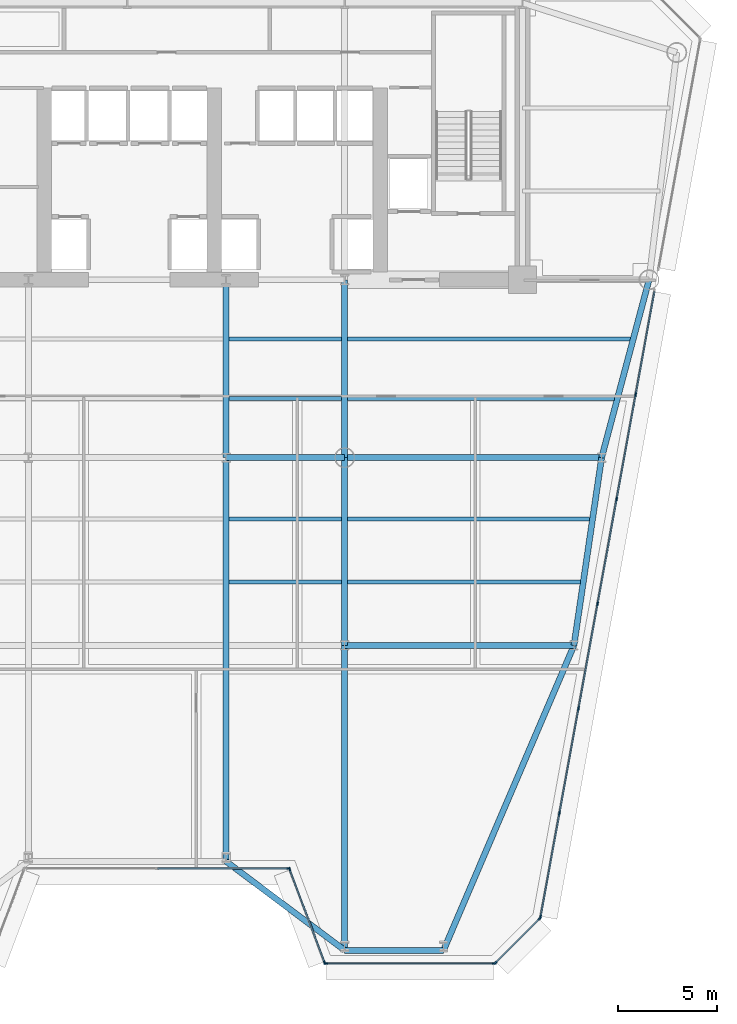
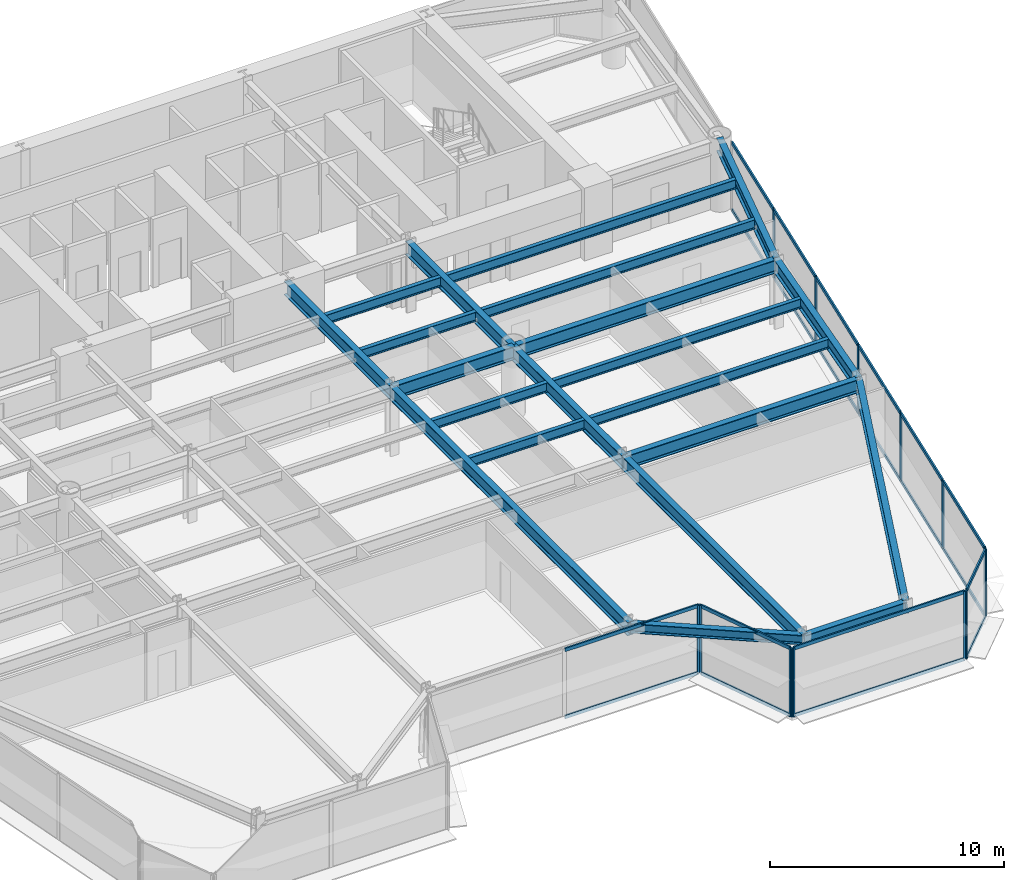
# One storey, part 4 of 14: 33 members, 21 beams, 5 elements without a shape of their own.
"""IFC4 building model written with IfcOpenShell, lengths in metres."""

from ifc_helpers import new_model, si_unit, direction, frame, origin, origin_2d, place, context, subcontext, project, spatial, rectangle, i_section, extrude, source, transform, mapped, material, layer, layer_set, material_profile, profile_set, type_object, element, aggregate, save


model = new_model("IFC4")

# Units and contexts
model_context = context("Model", 3, precision=1e-05, world=origin(), true_north=direction((0.0, 1.0)))
body_context = subcontext(model_context, "Body", "Model", "MODEL_VIEW")
ifc_project = project(units=[si_unit("LENGTHUNIT", "METRE"), si_unit("AREAUNIT", "SQUARE_METRE"), si_unit("VOLUMEUNIT", "CUBIC_METRE"), si_unit("PLANEANGLEUNIT", "RADIAN"), si_unit("MASSUNIT", "GRAM", prefix="KILO")], contexts=[model_context])

# Site, building, storey
site_placement = place(None, origin())
site = spatial("IfcSite", under=ifc_project, at=site_placement, CompositionType="ELEMENT")
building_placement = place(site_placement, origin())
building = spatial("IfcBuilding", under=site, at=building_placement, Name="Vaeldorn Concourse Tower", CompositionType="ELEMENT")
storey_placement = place(building_placement, frame((0.0, 0.0, 114.800048828125)))
storey = spatial("IfcBuildingStorey", under=building, at=storey_placement, Name="L29", CompositionType="ELEMENT", Elevation=114.800048828125)

# Beams
ifc_material_1 = material(Name="Steel S355", Category="steel")
ifc_material_profile_1 = material_profile(ifc_material_1, i_section(OverallWidth=0.199951171875, OverallDepth=0.5, WebThickness=0.01025390625, FlangeThickness=0.01611328125, FilletRadius=0.02099609375, at=origin_2d()), Name="IPE 500")
ifc_profile_set_1 = profile_set([ifc_material_profile_1], Name="Steel S355")
beam_type_1 = type_object("IfcBeamType", Name="BM-JS-IPE500", PredefinedType="JOIST", material=ifc_profile_set_1)
shared_shape_1 = source(origin(), body_context, "Body", "SweptSolid", [
    extrude(i_section(OverallWidth=0.199951171875, OverallDepth=0.5, WebThickness=0.01025390625, FlangeThickness=0.01611328125, FilletRadius=0.02099609375, at=origin_2d()), origin(), (0.0, 0.0, 1.0), 5.7001953125),
])
for number, where, z_axis, x_axis, name in (
    (1, (39.14990234375, 21.199951171875, 3.329833984375), (1.0, 0.0, 0.0), (0.0, 1.0, 0.0), "Beam JS-L29-E2-212"),
    (2, (39.14990234375, 24.39990234375, 3.329833984375), (1.0, 0.0, 0.0), (0.0, 1.0, 0.0), "Beam JS-L29-E2-244"),
    (3, (39.14990234375, 30.5, 3.329833984375), (1.0, 0.0, 0.0), (0.0, 1.0, 0.0), "Beam JS-L29-E2-305"),
    (4, (39.14990234375, 33.5, 3.329833984375), (1.0, 0.0, 0.0), (0.0, 1.0, 0.0), "Beam JS-L29-E2-335"),
):
    element("IfcBeam", number, at=place(storey_placement, frame(where, z_axis=z_axis, x_axis=x_axis)), inside=storey, type_object=beam_type_1, Name=name, PredefinedType="JOIST", context=body_context, shape_type="MappedRepresentation", body=[
        mapped(shared_shape_1, transform((0.0, 0.0, 0.0), scale=1.0)),
    ])
shared_shape_2 = source(origin(), body_context, "Body", "SweptSolid", [
    extrude(i_section(OverallWidth=0.199951171875, OverallDepth=0.5, WebThickness=0.01025390625, FlangeThickness=0.01611328125, FilletRadius=0.02099609375, at=origin_2d()), origin(), (0.0, 0.0, 1.0), 11.771728515625),
])
beam_1_placement = place(storey_placement, frame((45.14990234375, 21.199951171875, 3.329833984375), z_axis=(1.0, 0.0, 0.0), x_axis=(0.0, 1.0, 0.0)))
element("IfcBeam", 5, at=beam_1_placement, inside=storey, type_object=beam_type_1, Name="Beam JS-L29-E1-212", PredefinedType="JOIST", context=body_context, shape_type="MappedRepresentation", body=[
    mapped(shared_shape_2, transform((0.0, 0.0, 0.0), scale=1.0)),
])
shared_shape_3 = source(origin(), body_context, "Body", "SweptSolid", [
    extrude(i_section(OverallWidth=0.199951171875, OverallDepth=0.5, WebThickness=0.01025390625, FlangeThickness=0.01611328125, FilletRadius=0.02099609375, at=origin_2d()), origin(), (0.0, 0.0, 1.0), 12.243408203125),
])
beam_2_placement = place(storey_placement, frame((45.14990234375, 24.39990234375, 3.329833984375), z_axis=(1.0, 0.0, 0.0), x_axis=(0.0, 1.0, 0.0)))
element("IfcBeam", 6, at=beam_2_placement, inside=storey, type_object=beam_type_1, Name="Beam JS-L29-E1-244", PredefinedType="JOIST", context=body_context, shape_type="MappedRepresentation", body=[
    mapped(shared_shape_3, transform((0.0, 0.0, 0.0), scale=1.0)),
])
shared_shape_4 = source(origin(), body_context, "Body", "SweptSolid", [
    extrude(i_section(OverallWidth=0.199951171875, OverallDepth=0.5, WebThickness=0.01025390625, FlangeThickness=0.01611328125, FilletRadius=0.02099609375, at=origin_2d()), origin(), (0.0, 0.0, 1.0), 13.5),
])
beam_3_placement = place(storey_placement, frame((45.14990234375, 30.5, 3.329833984375), z_axis=(1.0, 0.0, 0.0), x_axis=(0.0, 1.0, 0.0)))
element("IfcBeam", 7, at=beam_3_placement, inside=storey, type_object=beam_type_1, Name="Beam JS-L29-E1-305", PredefinedType="JOIST", context=body_context, shape_type="MappedRepresentation", body=[
    mapped(shared_shape_4, transform((0.0, 0.0, 0.0), scale=1.0)),
])
shared_shape_5 = source(origin(), body_context, "Body", "SweptSolid", [
    extrude(i_section(OverallWidth=0.199951171875, OverallDepth=0.5, WebThickness=0.01025390625, FlangeThickness=0.01611328125, FilletRadius=0.02099609375, at=origin_2d()), origin(), (0.0, 0.0, 1.0), 14.300048828125),
])
beam_4_placement = place(storey_placement, frame((45.14990234375, 33.5, 3.329833984375), z_axis=(1.0, 0.0, 0.0), x_axis=(0.0, 1.0, 0.0)))
element("IfcBeam", 8, at=beam_4_placement, inside=storey, type_object=beam_type_1, Name="Beam JS-L29-E1-335", PredefinedType="JOIST", context=body_context, shape_type="MappedRepresentation", body=[
    mapped(shared_shape_5, transform((0.0, 0.0, 0.0), scale=1.0)),
])
ifc_material_profile_2 = material_profile(ifc_material_1, i_section(OverallWidth=0.300048828125, OverallDepth=0.699951171875, WebThickness=0.01708984375, FlangeThickness=0.031982421875, FilletRadius=0.027099609375, at=origin_2d()), Name="HEB 700")
ifc_profile_set_2 = profile_set([ifc_material_profile_2], Name="Steel S355")
beam_type_2 = type_object("IfcBeamType", Name="BM-PG-HEB700", PredefinedType="BEAM", material=ifc_profile_set_2)
shared_shape_6 = source(origin(), body_context, "Body", "SweptSolid", [
    extrude(i_section(OverallWidth=0.300048828125, OverallDepth=0.699951171875, WebThickness=0.01708984375, FlangeThickness=0.031982421875, FilletRadius=0.027099609375, at=origin_2d()), origin(), (0.0, 0.0, 1.0), 6.0),
])
beam_5_placement = place(storey_placement, frame((39.0, 27.5, 3.22998046875), z_axis=(1.0, 0.0, 0.0), x_axis=(0.0, 1.0, 0.0)))
element("IfcBeam", 9, at=beam_5_placement, inside=storey, type_object=beam_type_2, Name="Beam BM-L29-C-TW3-C-TW4", PredefinedType="BEAM", context=body_context, shape_type="MappedRepresentation", body=[
    mapped(shared_shape_6, transform((0.0, 0.0, 0.0), scale=1.0)),
])
shared_shape_7 = source(origin(), body_context, "Body", "SweptSolid", [
    extrude(i_section(OverallWidth=0.300048828125, OverallDepth=0.699951171875, WebThickness=0.01708984375, FlangeThickness=0.031982421875, FilletRadius=0.027099609375, at=origin_2d()), origin(), (0.0, 0.0, 1.0), 9.0),
])
for number, where, z_axis, x_axis, name in (
    (10, (39.0, 27.5, 3.22998046875), (0.0, 1.0, 0.0), (-1.0, 0.0, 0.0), "Beam BM-L29-C-TW3-C-FC4"),
    (11, (45.0, 27.5, 3.22998046875), (0.0, 1.0, 0.0), (-1.0, 0.0, 0.0), "Beam BM-L29-C-TW4-C-FC5"),
):
    element("IfcBeam", number, at=place(storey_placement, frame(where, z_axis=z_axis, x_axis=x_axis)), inside=storey, type_object=beam_type_2, Name=name, PredefinedType="BEAM", context=body_context, shape_type="MappedRepresentation", body=[
        mapped(shared_shape_7, transform((0.0, 0.0, 0.0), scale=1.0)),
    ])
shared_shape_8 = source(origin(), body_context, "Body", "SweptSolid", [
    extrude(i_section(OverallWidth=0.300048828125, OverallDepth=0.699951171875, WebThickness=0.01708984375, FlangeThickness=0.031982421875, FilletRadius=0.027099609375, at=origin_2d()), origin(), (0.0, 0.0, 1.0), 9.314453125),
])
beam_6_placement = place(storey_placement, frame((60.39990234375, 36.5, 3.22998046875), z_axis=(-0.257652862255, -0.966237549763, 0.0), x_axis=(0.966237549763, -0.257652862255, 0.0)))
element("IfcBeam", 12, at=beam_6_placement, inside=storey, type_object=beam_type_2, Name="Beam BM-L29-C-NE2-C-FLE1", PredefinedType="BEAM", context=body_context, shape_type="MappedRepresentation", body=[
    mapped(shared_shape_8, transform((0.0, 0.0, 0.0), scale=1.0)),
])
shared_shape_9 = source(origin(), body_context, "Body", "SweptSolid", [
    extrude(i_section(OverallWidth=0.300048828125, OverallDepth=0.699951171875, WebThickness=0.01708984375, FlangeThickness=0.031982421875, FilletRadius=0.027099609375, at=origin_2d()), origin(), (0.0, 0.0, 1.0), 13.0),
])
beam_7_placement = place(storey_placement, frame((45.0, 27.5, 3.22998046875), z_axis=(1.0, 0.0, 0.0), x_axis=(0.0, 1.0, 0.0)))
element("IfcBeam", 13, at=beam_7_placement, inside=storey, type_object=beam_type_2, Name="Beam BM-L29-C-TW4-C-FLE1", PredefinedType="BEAM", context=body_context, shape_type="MappedRepresentation", body=[
    mapped(shared_shape_9, transform((0.0, 0.0, 0.0), scale=1.0)),
])
ifc_material_profile_3 = material_profile(ifc_material_1, i_section(OverallWidth=0.300048828125, OverallDepth=0.5, WebThickness=0.014404296875, FlangeThickness=0.028076171875, FilletRadius=0.027099609375, at=origin_2d()), Name="HEB 500")
ifc_profile_set_3 = profile_set([ifc_material_profile_3], Name="Steel S355")
beam_type_3 = type_object("IfcBeamType", Name="BM-SP-HEB500", PredefinedType="SPANDREL", material=ifc_profile_set_3)
shared_shape_10 = source(origin(), body_context, "Body", "SweptSolid", [
    extrude(i_section(OverallWidth=0.300048828125, OverallDepth=0.5, WebThickness=0.014404296875, FlangeThickness=0.028076171875, FilletRadius=0.027099609375, at=origin_2d()), origin(), (0.0, 0.0, 1.0), 5.0),
])
beam_8_placement = place(storey_placement, frame((45.0, 2.573486328125, 3.329833984375), z_axis=(1.0, 0.0, 0.0), x_axis=(0.0, 1.0, 0.0)))
element("IfcBeam", 14, at=beam_8_placement, inside=storey, type_object=beam_type_3, Name="Beam BM-L29-C-SF5-C-SF6", PredefinedType="SPANDREL", context=body_context, shape_type="MappedRepresentation", body=[
    mapped(shared_shape_10, transform((0.0, 0.0, 0.0), scale=1.0)),
])
shared_shape_11 = source(origin(), body_context, "Body", "SweptSolid", [
    extrude(i_section(OverallWidth=0.300048828125, OverallDepth=0.5, WebThickness=0.014404296875, FlangeThickness=0.028076171875, FilletRadius=0.027099609375, at=origin_2d()), origin(), (0.0, 0.0, 1.0), 7.5),
])
beam_9_placement = place(storey_placement, frame((39.0, 7.073486328125, 3.329833984375), z_axis=(0.8, -0.6, 0.0), x_axis=(0.6, 0.8, 0.0)))
element("IfcBeam", 15, at=beam_9_placement, inside=storey, type_object=beam_type_3, Name="Beam BM-L29-C-SF4-C-SF5", PredefinedType="SPANDREL", context=body_context, shape_type="MappedRepresentation", body=[
    mapped(shared_shape_11, transform((0.0, 0.0, 0.0), scale=1.0)),
])
shared_shape_12 = source(origin(), body_context, "Body", "SweptSolid", [
    extrude(i_section(OverallWidth=0.300048828125, OverallDepth=0.699951171875, WebThickness=0.01708984375, FlangeThickness=0.031982421875, FilletRadius=0.027099609375, at=origin_2d()), origin(), (0.0, 0.0, 1.0), 9.6025390625),
])
beam_10_placement = place(storey_placement, frame((58.0, 27.5, 3.22998046875), z_axis=(-0.145783835977, -0.989316467652, 0.0), x_axis=(0.989316467652, -0.145783835977, 0.0)))
element("IfcBeam", 16, at=beam_10_placement, inside=storey, type_object=beam_type_2, Name="Beam BM-L29-C-FLE1-C-FLE2", PredefinedType="BEAM", context=body_context, shape_type="MappedRepresentation", body=[
    mapped(shared_shape_12, transform((0.0, 0.0, 0.0), scale=1.0)),
])
shared_shape_13 = source(origin(), body_context, "Body", "SweptSolid", [
    extrude(i_section(OverallWidth=0.300048828125, OverallDepth=0.699951171875, WebThickness=0.01708984375, FlangeThickness=0.031982421875, FilletRadius=0.027099609375, at=origin_2d()), origin(), (0.0, 0.0, 1.0), 11.60009765625),
])
beam_11_placement = place(storey_placement, frame((45.0, 18.0, 3.22998046875), z_axis=(1.0, 0.0, 0.0), x_axis=(0.0, 1.0, 0.0)))
element("IfcBeam", 17, at=beam_11_placement, inside=storey, type_object=beam_type_2, Name="Beam BM-L29-C-TW6-C-FLE2", PredefinedType="BEAM", context=body_context, shape_type="MappedRepresentation", body=[
    mapped(shared_shape_13, transform((0.0, 0.0, 0.0), scale=1.0)),
])
shared_shape_14 = source(origin(), body_context, "Body", "SweptSolid", [
    extrude(i_section(OverallWidth=0.300048828125, OverallDepth=0.699951171875, WebThickness=0.01708984375, FlangeThickness=0.031982421875, FilletRadius=0.027099609375, at=origin_2d()), origin(), (0.0, 0.0, 1.0), 9.5),
])
beam_12_placement = place(storey_placement, frame((45.0, 18.0, 3.22998046875), z_axis=(0.0, 1.0, 0.0), x_axis=(-1.0, 0.0, 0.0)))
element("IfcBeam", 18, at=beam_12_placement, inside=storey, type_object=beam_type_2, Name="Beam BM-L29-C-TW6-C-TW4", PredefinedType="BEAM", context=body_context, shape_type="MappedRepresentation", body=[
    mapped(shared_shape_14, transform((0.0, 0.0, 0.0), scale=1.0)),
])
shared_shape_15 = source(origin(), body_context, "Body", "SweptSolid", [
    extrude(i_section(OverallWidth=0.300048828125, OverallDepth=0.699951171875, WebThickness=0.01708984375, FlangeThickness=0.031982421875, FilletRadius=0.027099609375, at=origin_2d()), origin(), (0.0, 0.0, 1.0), 16.779052734375),
])
beam_13_placement = place(storey_placement, frame((50.0, 2.573486328125, 3.22998046875), z_axis=(0.393352013889, 0.919387944869, 0.0), x_axis=(-0.919387944869, 0.393352013889, 0.0)))
element("IfcBeam", 19, at=beam_13_placement, inside=storey, type_object=beam_type_2, Name="Beam BM-L29-C-SF6-C-FLE2", PredefinedType="BEAM", context=body_context, shape_type="MappedRepresentation", body=[
    mapped(shared_shape_15, transform((0.0, 0.0, 0.0), scale=1.0)),
])
shared_shape_16 = source(origin(), body_context, "Body", "SweptSolid", [
    extrude(i_section(OverallWidth=0.300048828125, OverallDepth=0.699951171875, WebThickness=0.01708984375, FlangeThickness=0.031982421875, FilletRadius=0.027099609375, at=origin_2d()), origin(), (0.0, 0.0, 1.0), 15.426513671875),
])
beam_14_placement = place(storey_placement, frame((45.0, 2.573486328125, 3.22998046875), z_axis=(0.0, 1.0, 0.0), x_axis=(-1.0, 0.0, 0.0)))
element("IfcBeam", 20, at=beam_14_placement, inside=storey, type_object=beam_type_2, Name="Beam BM-L29-C-SF5-C-TW6", PredefinedType="BEAM", context=body_context, shape_type="MappedRepresentation", body=[
    mapped(shared_shape_16, transform((0.0, 0.0, 0.0), scale=1.0)),
])
shared_shape_17 = source(origin(), body_context, "Body", "SweptSolid", [
    extrude(i_section(OverallWidth=0.300048828125, OverallDepth=0.699951171875, WebThickness=0.01708984375, FlangeThickness=0.031982421875, FilletRadius=0.027099609375, at=origin_2d()), origin(), (0.0, 0.0, 1.0), 20.426513671875),
])
beam_15_placement = place(storey_placement, frame((39.0, 7.073486328125, 3.22998046875), z_axis=(0.0, 1.0, 0.0), x_axis=(-1.0, 0.0, 0.0)))
element("IfcBeam", 21, at=beam_15_placement, inside=storey, type_object=beam_type_2, Name="Beam BM-L29-C-SF4-C-TW3", PredefinedType="BEAM", context=body_context, shape_type="MappedRepresentation", body=[
    mapped(shared_shape_17, transform((0.0, 0.0, 0.0), scale=1.0)),
])

# Curtain wall, members
ifc_material_2 = material(Name="Anodised Bronze Aluminium", Category="aluminium")
ifc_layer = layer(ifc_material_2, 0.199951171875)
ifc_layer_set = layer_set([ifc_layer], Name="Anodised Bronze Aluminium")
curtain_wall_type = type_object("IfcCurtainWallType", Name="CW-SYS-02", PredefinedType="NOTDEFINED", material=ifc_layer_set)
curtain_wall_1_placement = place(storey_placement, origin())
curtain_wall_1 = element("IfcCurtainWall", 22, at=curtain_wall_1_placement, inside=storey, type_object=curtain_wall_type, Name="Unitised Curtain Wall CW-L29-E04-1", PredefinedType="NOTDEFINED")
ifc_material_profile_4 = material_profile(ifc_material_2, rectangle(XDim=0.074951171875, YDim=0.179931640625, at=origin_2d()), Name="CWT 75x180")
ifc_profile_set_4 = profile_set([ifc_material_profile_4], Name="Anodised Bronze Aluminium")
member_type_1 = type_object("IfcMemberType", Name="CWT-BRONZE-180", PredefinedType="USERDEFINED", material=ifc_profile_set_4)
shared_shape_18 = source(origin(), body_context, "Body", "SweptSolid", [
    extrude(rectangle(XDim=0.074951171875, YDim=0.179931640625, at=origin_2d()), origin(), (0.0, 0.0, 1.0), 4.976318359375),
])
member_1_placement = place(storey_placement, frame((42.226318359375, 6.642333984375, 0.037353515625), z_axis=(0.351128818119, -0.936327161352, 0.0), x_axis=(0.936327161352, 0.351128818119, 0.0)))
member_1 = element("IfcMember", 23, at=member_1_placement, type_object=member_type_1, Name="CW-02 transom 1.1", ObjectType="TRANSOM", PredefinedType="USERDEFINED", context=body_context, shape_type="MappedRepresentation", body=[
    mapped(shared_shape_18, transform((0.0, 0.0, 0.0), scale=1.0)),
])
member_2_placement = place(storey_placement, frame((42.226318359375, 6.642333984375, 3.54248046875), z_axis=(0.351128818119, -0.936327161352, 0.0), x_axis=(0.936327161352, 0.351128818119, 0.0)))
member_2 = element("IfcMember", 24, at=member_2_placement, type_object=member_type_1, Name="CW-02 transom 1.2", ObjectType="TRANSOM", PredefinedType="USERDEFINED", context=body_context, shape_type="MappedRepresentation", body=[
    mapped(shared_shape_18, transform((0.0, 0.0, 0.0), scale=1.0)),
])

curtain_wall_2_placement = place(storey_placement, origin())
curtain_wall_2 = element("IfcCurtainWall", 25, at=curtain_wall_2_placement, inside=storey, type_object=curtain_wall_type, Name="Unitised Curtain Wall CW-L29-E03-1", PredefinedType="NOTDEFINED")
shared_shape_19 = source(origin(), body_context, "Body", "SweptSolid", [
    extrude(rectangle(XDim=0.074951171875, YDim=0.179931640625, at=origin_2d()), origin(), (0.0, 0.0, 1.0), 6.58740234375),
])
member_3_placement = place(storey_placement, frame((35.53759765625, 6.712646484375, 0.037353515625), z_axis=(1.0, 0.0, 0.0), x_axis=(0.0, 1.0, 0.0)))
member_3 = element("IfcMember", 26, at=member_3_placement, type_object=member_type_1, Name="CW-02 transom 2.1", ObjectType="TRANSOM", PredefinedType="USERDEFINED", context=body_context, shape_type="MappedRepresentation", body=[
    mapped(shared_shape_19, transform((0.0, 0.0, 0.0), scale=1.0)),
])
member_4_placement = place(storey_placement, frame((35.53759765625, 6.712646484375, 3.54248046875), z_axis=(1.0, 0.0, 0.0), x_axis=(0.0, 1.0, 0.0)))
member_4 = element("IfcMember", 27, at=member_4_placement, type_object=member_type_1, Name="CW-02 transom 2.2", ObjectType="TRANSOM", PredefinedType="USERDEFINED", context=body_context, shape_type="MappedRepresentation", body=[
    mapped(shared_shape_19, transform((0.0, 0.0, 0.0), scale=1.0)),
])

curtain_wall_3_placement = place(storey_placement, origin())
curtain_wall_3 = element("IfcCurtainWall", 28, at=curtain_wall_3_placement, inside=storey, type_object=curtain_wall_type, Name="Unitised Curtain Wall CW-L29-E06-1", PredefinedType="NOTDEFINED")
shared_shape_20 = source(origin(), body_context, "Body", "SweptSolid", [
    extrude(rectangle(XDim=0.074951171875, YDim=0.179931640625, at=origin_2d()), origin(), (0.0, 0.0, 1.0), 3.10302734375),
])
member_5_placement = place(storey_placement, frame((52.653564453125, 1.965576171875, 0.037353515625), z_axis=(0.707106781187, 0.707106781187, 0.0), x_axis=(-0.707106781187, 0.707106781187, 0.0)))
member_5 = element("IfcMember", 29, at=member_5_placement, type_object=member_type_1, Name="CW-02 transom 1.1", ObjectType="TRANSOM", PredefinedType="USERDEFINED", context=body_context, shape_type="MappedRepresentation", body=[
    mapped(shared_shape_20, transform((0.0, 0.0, 0.0), scale=1.0)),
])
member_6_placement = place(storey_placement, frame((52.653564453125, 1.965576171875, 3.54248046875), z_axis=(0.707106781187, 0.707106781187, 0.0), x_axis=(-0.707106781187, 0.707106781187, 0.0)))
member_6 = element("IfcMember", 30, at=member_6_placement, type_object=member_type_1, Name="CW-02 transom 1.2", ObjectType="TRANSOM", PredefinedType="USERDEFINED", context=body_context, shape_type="MappedRepresentation", body=[
    mapped(shared_shape_20, transform((0.0, 0.0, 0.0), scale=1.0)),
])

curtain_wall_4_placement = place(storey_placement, origin())
curtain_wall_4 = element("IfcCurtainWall", 31, at=curtain_wall_4_placement, inside=storey, type_object=curtain_wall_type, Name="Unitised Curtain Wall CW-L29-E05-1", PredefinedType="NOTDEFINED")
shared_shape_21 = source(origin(), body_context, "Body", "SweptSolid", [
    extrude(rectangle(XDim=0.074951171875, YDim=0.179931640625, at=origin_2d()), origin(), (0.0, 0.0, 1.0), 8.45068359375),
])
member_7_placement = place(storey_placement, frame((44.074951171875, 1.91259765625, 0.037353515625), z_axis=(1.0, 0.0, 0.0), x_axis=(0.0, 1.0, 0.0)))
member_7 = element("IfcMember", 32, at=member_7_placement, type_object=member_type_1, Name="CW-02 transom 1.1", ObjectType="TRANSOM", PredefinedType="USERDEFINED", context=body_context, shape_type="MappedRepresentation", body=[
    mapped(shared_shape_21, transform((0.0, 0.0, 0.0), scale=1.0)),
])
member_8_placement = place(storey_placement, frame((44.074951171875, 1.91259765625, 3.54248046875), z_axis=(1.0, 0.0, 0.0), x_axis=(0.0, 1.0, 0.0)))
member_8 = element("IfcMember", 33, at=member_8_placement, type_object=member_type_1, Name="CW-02 transom 1.2", ObjectType="TRANSOM", PredefinedType="USERDEFINED", context=body_context, shape_type="MappedRepresentation", body=[
    mapped(shared_shape_21, transform((0.0, 0.0, 0.0), scale=1.0)),
])

# Member
ifc_material_profile_5 = material_profile(ifc_material_2, rectangle(XDim=0.074951171875, YDim=0.18994140625, at=origin_2d()), Name="CWM 75x190")
ifc_profile_set_5 = profile_set([ifc_material_profile_5], Name="Anodised Bronze Aluminium")
member_type_2 = type_object("IfcMemberType", Name="CWM-BRONZE-190", PredefinedType="MULLION", material=ifc_profile_set_5)
shared_shape_22 = source(origin(), body_context, "Body", "SweptSolid", [
    extrude(rectangle(XDim=0.074951171875, YDim=0.18994140625, at=origin_2d()), origin(), (0.0, 0.0, 1.0), 3.579833984375),
])
member_9_placement = place(storey_placement, frame((42.16259765625, 6.712646484375, 0.0), z_axis=(0.0, 0.0, 1.0), x_axis=(0.0, 1.0, 0.0)))
member_9 = element("IfcMember", 34, at=member_9_placement, type_object=member_type_2, Name="CW-02 mullion 3", PredefinedType="MULLION", context=body_context, shape_type="MappedRepresentation", body=[
    mapped(shared_shape_22, transform((0.0, 0.0, 0.0), scale=1.0)),
])

aggregate(curtain_wall_2, [member_9, member_3, member_4])

member_10_placement = place(storey_placement, frame((42.213134765625, 6.677490234375, 0.0), z_axis=(0.0, 0.0, 1.0), x_axis=(0.936329177566, 0.351123441595, 0.0)))
member_10 = element("IfcMember", 35, at=member_10_placement, type_object=member_type_2, Name="CW-02 mullion 1", PredefinedType="MULLION", context=body_context, shape_type="MappedRepresentation", body=[
    mapped(shared_shape_22, transform((0.0, 0.0, 0.0), scale=1.0)),
])

member_11_placement = place(storey_placement, frame((43.98681640625, 1.94775390625, 0.0), z_axis=(0.0, 0.0, 1.0), x_axis=(0.936329177566, 0.351123441595, 0.0)))
member_11 = element("IfcMember", 36, at=member_11_placement, type_object=member_type_2, Name="CW-02 mullion 2", PredefinedType="MULLION", context=body_context, shape_type="MappedRepresentation", body=[
    mapped(shared_shape_22, transform((0.0, 0.0, 0.0), scale=1.0)),
])

aggregate(curtain_wall_1, [member_10, member_11, member_1, member_2])

member_12_placement = place(storey_placement, frame((44.03759765625, 1.91259765625, 0.0), z_axis=(0.0, 0.0, 1.0), x_axis=(0.0, 1.0, 0.0)))
member_12 = element("IfcMember", 37, at=member_12_placement, type_object=member_type_2, Name="CW-02 mullion 1", PredefinedType="MULLION", context=body_context, shape_type="MappedRepresentation", body=[
    mapped(shared_shape_22, transform((0.0, 0.0, 0.0), scale=1.0)),
])

member_13_placement = place(storey_placement, frame((52.56298828125, 1.91259765625, 0.0), z_axis=(0.0, 0.0, 1.0), x_axis=(0.0, 1.0, 0.0)))
member_13 = element("IfcMember", 38, at=member_13_placement, type_object=member_type_2, Name="CW-02 mullion 2", PredefinedType="MULLION", context=body_context, shape_type="MappedRepresentation", body=[
    mapped(shared_shape_22, transform((0.0, 0.0, 0.0), scale=1.0)),
])

aggregate(curtain_wall_4, [member_12, member_13, member_7, member_8])

member_14_placement = place(storey_placement, frame((52.627197265625, 1.939208984375, 0.0), z_axis=(0.0, 0.0, 1.0), x_axis=(-0.707106781187, 0.707106781187, 0.0)))
member_14 = element("IfcMember", 39, at=member_14_placement, type_object=member_type_2, Name="CW-02 mullion 1", PredefinedType="MULLION", context=body_context, shape_type="MappedRepresentation", body=[
    mapped(shared_shape_22, transform((0.0, 0.0, 0.0), scale=1.0)),
])

member_15_placement = place(storey_placement, frame((54.8740234375, 4.18603515625, 0.0), z_axis=(0.0, 0.0, 1.0), x_axis=(-0.707106781187, 0.707106781187, 0.0)))
member_15 = element("IfcMember", 40, at=member_15_placement, type_object=member_type_2, Name="CW-02 mullion 2", PredefinedType="MULLION", context=body_context, shape_type="MappedRepresentation", body=[
    mapped(shared_shape_22, transform((0.0, 0.0, 0.0), scale=1.0)),
])

aggregate(curtain_wall_3, [member_14, member_15, member_5, member_6])

# Curtain wall, members
curtain_wall_5_placement = place(storey_placement, origin())
curtain_wall_5 = element("IfcCurtainWall", 41, at=curtain_wall_5_placement, inside=storey, type_object=curtain_wall_type, Name="Unitised Curtain Wall CW-L29-E07-1", PredefinedType="NOTDEFINED")
member_16_placement = place(storey_placement, frame((54.9072265625, 4.24951171875, 0.0), z_axis=(0.0, 0.0, 1.0), x_axis=(-0.983827667432, 0.179117617213, 0.0)))
member_16 = element("IfcMember", 42, at=member_16_placement, type_object=member_type_2, Name="CW-02 mullion 1", PredefinedType="MULLION", context=body_context, shape_type="MappedRepresentation", body=[
    mapped(shared_shape_22, transform((0.0, 0.0, 0.0), scale=1.0)),
])
member_17_placement = place(storey_placement, frame((55.864501953125, 9.507568359375, 0.0), z_axis=(0.0, 0.0, 1.0), x_axis=(-0.983827667432, 0.179117617213, 0.0)))
member_17 = element("IfcMember", 43, at=member_17_placement, type_object=member_type_2, Name="CW-02 mullion 2", PredefinedType="MULLION", context=body_context, shape_type="MappedRepresentation", body=[
    mapped(shared_shape_22, transform((0.0, 0.0, 0.0), scale=1.0)),
])
member_18_placement = place(storey_placement, frame((56.82861328125, 14.802490234375, 0.0), z_axis=(0.0, 0.0, 1.0), x_axis=(-0.983827667432, 0.179117617213, 0.0)))
member_18 = element("IfcMember", 44, at=member_18_placement, type_object=member_type_2, Name="CW-02 mullion 3", PredefinedType="MULLION", context=body_context, shape_type="MappedRepresentation", body=[
    mapped(shared_shape_22, transform((0.0, 0.0, 0.0), scale=1.0)),
])
member_19_placement = place(storey_placement, frame((57.79248046875, 20.097412109375, 0.0), z_axis=(0.0, 0.0, 1.0), x_axis=(-0.983827667432, 0.179117617213, 0.0)))
member_19 = element("IfcMember", 45, at=member_19_placement, type_object=member_type_2, Name="CW-02 mullion 4", PredefinedType="MULLION", context=body_context, shape_type="MappedRepresentation", body=[
    mapped(shared_shape_22, transform((0.0, 0.0, 0.0), scale=1.0)),
])
member_20_placement = place(storey_placement, frame((58.756591796875, 25.39208984375, 0.0), z_axis=(0.0, 0.0, 1.0), x_axis=(-0.983827667432, 0.179117617213, 0.0)))
member_20 = element("IfcMember", 46, at=member_20_placement, type_object=member_type_2, Name="CW-02 mullion 5", PredefinedType="MULLION", context=body_context, shape_type="MappedRepresentation", body=[
    mapped(shared_shape_22, transform((0.0, 0.0, 0.0), scale=1.0)),
])
member_21_placement = place(storey_placement, frame((59.720703125, 30.68701171875, 0.0), z_axis=(0.0, 0.0, 1.0), x_axis=(-0.983827667432, 0.179117617213, 0.0)))
member_21 = element("IfcMember", 47, at=member_21_placement, type_object=member_type_2, Name="CW-02 mullion 6", PredefinedType="MULLION", context=body_context, shape_type="MappedRepresentation", body=[
    mapped(shared_shape_22, transform((0.0, 0.0, 0.0), scale=1.0)),
])
shared_shape_23 = source(origin(), body_context, "Body", "SweptSolid", [
    extrude(rectangle(XDim=0.074951171875, YDim=0.179931640625, at=origin_2d()), origin(), (0.0, 0.0, 1.0), 5.26953125),
])
member_22_placement = place(storey_placement, frame((54.9140625, 4.286376953125, 0.037353515625), z_axis=(0.179113750135, 0.983828371472, 0.0), x_axis=(-0.983828371472, 0.179113750135, 0.0)))
member_22 = element("IfcMember", 48, at=member_22_placement, type_object=member_type_1, Name="CW-02 transom 1.1", ObjectType="TRANSOM", PredefinedType="USERDEFINED", context=body_context, shape_type="MappedRepresentation", body=[
    mapped(shared_shape_23, transform((0.0, 0.0, 0.0), scale=1.0)),
])
member_23_placement = place(storey_placement, frame((54.9140625, 4.286376953125, 3.54248046875), z_axis=(0.179113750135, 0.983828371472, 0.0), x_axis=(-0.983828371472, 0.179113750135, 0.0)))
member_23 = element("IfcMember", 49, at=member_23_placement, type_object=member_type_1, Name="CW-02 transom 1.2", ObjectType="TRANSOM", PredefinedType="USERDEFINED", context=body_context, shape_type="MappedRepresentation", body=[
    mapped(shared_shape_23, transform((0.0, 0.0, 0.0), scale=1.0)),
])
member_24_placement = place(storey_placement, frame((59.727294921875, 30.723876953125, 0.037353515625), z_axis=(0.179113750135, 0.983828371472, 0.0), x_axis=(-0.983828371472, 0.179113750135, 0.0)))
member_24 = element("IfcMember", 50, at=member_24_placement, type_object=member_type_1, Name="CW-02 transom 6.1", ObjectType="TRANSOM", PredefinedType="USERDEFINED", context=body_context, shape_type="MappedRepresentation", body=[
    mapped(shared_shape_23, transform((0.0, 0.0, 0.0), scale=1.0)),
])
member_25_placement = place(storey_placement, frame((59.727294921875, 30.723876953125, 3.54248046875), z_axis=(0.179113750135, 0.983828371472, 0.0), x_axis=(-0.983828371472, 0.179113750135, 0.0)))
member_25 = element("IfcMember", 51, at=member_25_placement, type_object=member_type_1, Name="CW-02 transom 6.2", ObjectType="TRANSOM", PredefinedType="USERDEFINED", context=body_context, shape_type="MappedRepresentation", body=[
    mapped(shared_shape_23, transform((0.0, 0.0, 0.0), scale=1.0)),
])
shared_shape_24 = source(origin(), body_context, "Body", "SweptSolid", [
    extrude(rectangle(XDim=0.074951171875, YDim=0.179931640625, at=origin_2d()), origin(), (0.0, 0.0, 1.0), 5.306884765625),
])
member_26_placement = place(storey_placement, frame((55.871337890625, 9.54443359375, 0.037353515625), z_axis=(0.179091898284, 0.983832349524, 0.0), x_axis=(-0.983832349524, 0.179091898284, 0.0)))
member_26 = element("IfcMember", 52, at=member_26_placement, type_object=member_type_1, Name="CW-02 transom 2.1", ObjectType="TRANSOM", PredefinedType="USERDEFINED", context=body_context, shape_type="MappedRepresentation", body=[
    mapped(shared_shape_24, transform((0.0, 0.0, 0.0), scale=1.0)),
])
member_27_placement = place(storey_placement, frame((55.871337890625, 9.54443359375, 3.54248046875), z_axis=(0.179091898284, 0.983832349524, 0.0), x_axis=(-0.983832349524, 0.179091898284, 0.0)))
member_27 = element("IfcMember", 53, at=member_27_placement, type_object=member_type_1, Name="CW-02 transom 2.2", ObjectType="TRANSOM", PredefinedType="USERDEFINED", context=body_context, shape_type="MappedRepresentation", body=[
    mapped(shared_shape_24, transform((0.0, 0.0, 0.0), scale=1.0)),
])
member_28_placement = place(storey_placement, frame((56.835205078125, 14.83935546875, 0.037353515625), z_axis=(0.179144533695, 0.983822766583, 0.0), x_axis=(-0.983822766583, 0.179144533695, 0.0)))
member_28 = element("IfcMember", 54, at=member_28_placement, type_object=member_type_1, Name="CW-02 transom 3.1", ObjectType="TRANSOM", PredefinedType="USERDEFINED", context=body_context, shape_type="MappedRepresentation", body=[
    mapped(shared_shape_24, transform((0.0, 0.0, 0.0), scale=1.0)),
])
member_29_placement = place(storey_placement, frame((56.835205078125, 14.83935546875, 3.54248046875), z_axis=(0.179144533695, 0.983822766583, 0.0), x_axis=(-0.983822766583, 0.179144533695, 0.0)))
member_29 = element("IfcMember", 55, at=member_29_placement, type_object=member_type_1, Name="CW-02 transom 3.2", ObjectType="TRANSOM", PredefinedType="USERDEFINED", context=body_context, shape_type="MappedRepresentation", body=[
    mapped(shared_shape_24, transform((0.0, 0.0, 0.0), scale=1.0)),
])
member_30_placement = place(storey_placement, frame((57.79931640625, 20.13427734375, 0.037353515625), z_axis=(0.179144533695, 0.983822766583, 0.0), x_axis=(-0.983822766583, 0.179144533695, 0.0)))
member_30 = element("IfcMember", 56, at=member_30_placement, type_object=member_type_1, Name="CW-02 transom 4.1", ObjectType="TRANSOM", PredefinedType="USERDEFINED", context=body_context, shape_type="MappedRepresentation", body=[
    mapped(shared_shape_24, transform((0.0, 0.0, 0.0), scale=1.0)),
])
member_31_placement = place(storey_placement, frame((57.79931640625, 20.13427734375, 3.54248046875), z_axis=(0.179144533695, 0.983822766583, 0.0), x_axis=(-0.983822766583, 0.179144533695, 0.0)))
member_31 = element("IfcMember", 57, at=member_31_placement, type_object=member_type_1, Name="CW-02 transom 4.2", ObjectType="TRANSOM", PredefinedType="USERDEFINED", context=body_context, shape_type="MappedRepresentation", body=[
    mapped(shared_shape_24, transform((0.0, 0.0, 0.0), scale=1.0)),
])
shared_shape_25 = source(origin(), body_context, "Body", "SweptSolid", [
    extrude(rectangle(XDim=0.074951171875, YDim=0.179931640625, at=origin_2d()), origin(), (0.0, 0.0, 1.0), 5.306640625),
])
member_32_placement = place(storey_placement, frame((58.763427734375, 25.42919921875, 0.037353515625), z_axis=(0.179100004308, 0.983830873909, 0.0), x_axis=(-0.983830873909, 0.179100004308, 0.0)))
member_32 = element("IfcMember", 58, at=member_32_placement, type_object=member_type_1, Name="CW-02 transom 5.1", ObjectType="TRANSOM", PredefinedType="USERDEFINED", context=body_context, shape_type="MappedRepresentation", body=[
    mapped(shared_shape_25, transform((0.0, 0.0, 0.0), scale=1.0)),
])
member_33_placement = place(storey_placement, frame((58.763427734375, 25.42919921875, 3.54248046875), z_axis=(0.179100004308, 0.983830873909, 0.0), x_axis=(-0.983830873909, 0.179100004308, 0.0)))
member_33 = element("IfcMember", 59, at=member_33_placement, type_object=member_type_1, Name="CW-02 transom 5.2", ObjectType="TRANSOM", PredefinedType="USERDEFINED", context=body_context, shape_type="MappedRepresentation", body=[
    mapped(shared_shape_25, transform((0.0, 0.0, 0.0), scale=1.0)),
])
aggregate(curtain_wall_5, [member_16, member_17, member_18, member_19, member_20, member_21, member_22, member_23, member_26, member_27, member_28, member_29, member_30, member_31, member_32, member_33, member_24, member_25])

save(model, "model.ifc")
